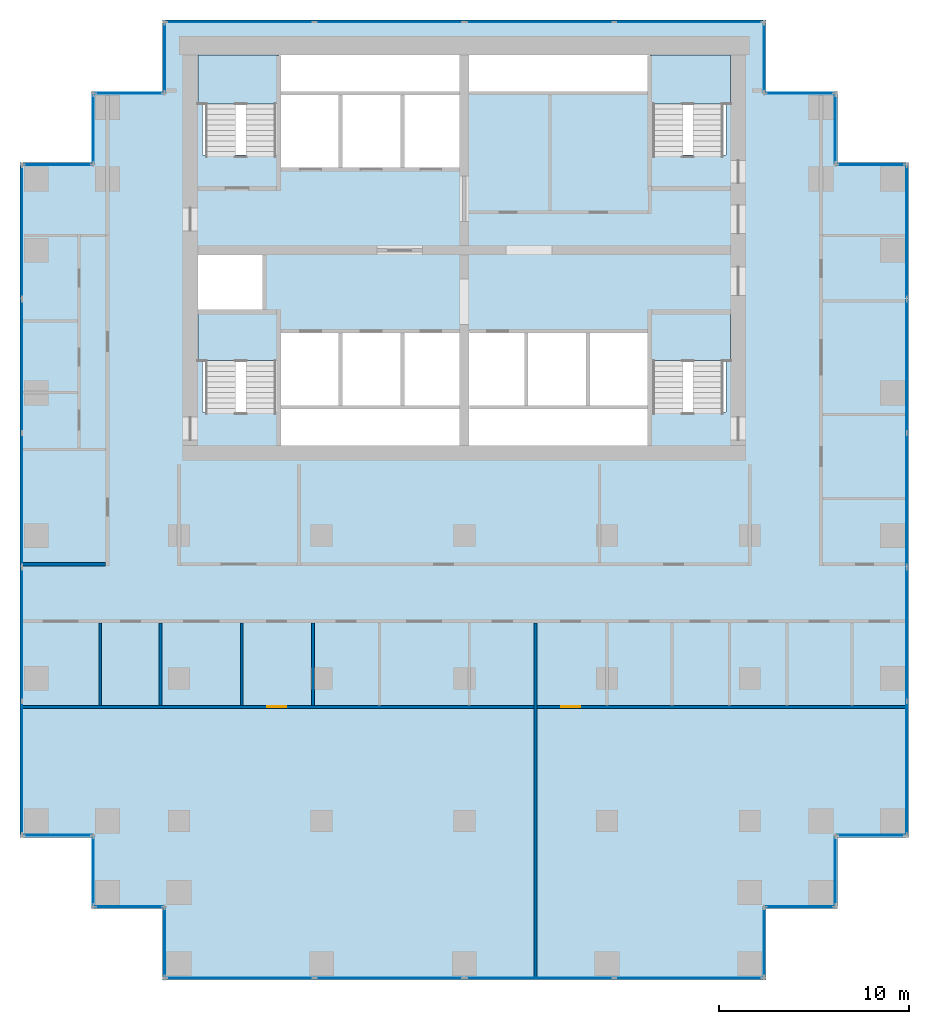
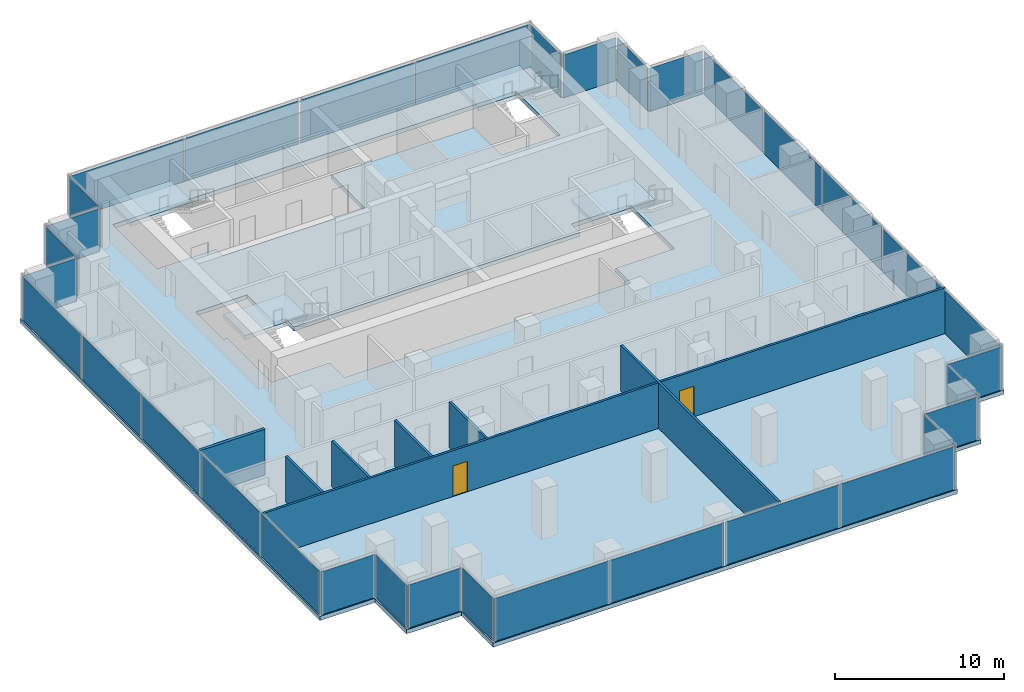
# One storey, part 6 of 10: 34 plates, 7 walls, 5 slabs, 2 doors, 2 openings, 30 elements without a shape of their own.
"""IFC4 building model written with IfcOpenShell, lengths in metres."""

from ifc_helpers import new_model, si_unit, direction, frame, frame_2d, origin, origin_2d, place, context, subcontext, project, spatial, polyline, rectangle, outline, extrude, material, layer, layer_set, type_object, element, fill, aggregate, save


model = new_model("IFC4")

# Units and contexts
model_context = context("Model", 3, precision=1e-05, world=origin(), true_north=direction((0.0, 1.0)))
body_context = subcontext(model_context, "Body", "Model", "MODEL_VIEW")
ifc_project = project(units=[si_unit("LENGTHUNIT", "METRE"), si_unit("AREAUNIT", "SQUARE_METRE"), si_unit("VOLUMEUNIT", "CUBIC_METRE"), si_unit("PLANEANGLEUNIT", "RADIAN"), si_unit("MASSUNIT", "GRAM", prefix="KILO")], contexts=[model_context])

# Site, building, storey
site_placement = place(None, origin())
site = spatial("IfcSite", under=ifc_project, at=site_placement, CompositionType="ELEMENT")
building_placement = place(site_placement, origin())
building = spatial("IfcBuilding", under=site, at=building_placement, Name="Pilkhan Gate Tower", CompositionType="ELEMENT")
storey_placement = place(building_placement, frame((0.0, 0.0, 107.199951171875)))
storey = spatial("IfcBuildingStorey", under=building, at=storey_placement, Name="L26", CompositionType="ELEMENT", Elevation=107.199951171875)

# Slab
ifc_material_1 = material(Name="Concrete C40/50", Category="concrete")
ifc_layer_1 = layer(ifc_material_1, 0.300048828125)
ifc_layer_set_1 = layer_set([ifc_layer_1], Name="Flat plate slab FP300")
slab_type_1 = type_object("IfcSlabType", Name="Flat plate slab FP300", PredefinedType="FLOOR", material=ifc_layer_set_1)
slab_1_placement = place(storey_placement, frame((0.0, 0.0, -0.300048828125)))
element("IfcSlab", 1, at=slab_1_placement, inside=storey, type_object=slab_type_1, Name="Floor slab L26", PredefinedType="FLOOR", context=body_context, shape_type="SweptSolid", body=[
    extrude(outline(polyline([(94.60009765625, 47.89990234375), (90.85009765625, 47.89990234375), (90.85009765625, 44.14990234375), (59.14990234375, 44.14990234375), (59.14990234375, 47.89990234375), (55.39990234375, 47.89990234375), (55.39990234375, 51.64990234375), (51.64990234375, 51.64990234375), (51.64990234375, 87.10009765625), (55.39990234375, 87.10009765625), (55.39990234375, 90.85009765625), (59.14990234375, 90.85009765625), (59.14990234375, 94.60009765625), (90.85009765625, 94.60009765625), (90.85009765625, 90.85009765625), (94.60009765625, 90.85009765625), (94.60009765625, 87.10009765625), (98.35009765625, 87.10009765625), (98.35009765625, 51.64990234375), (94.60009765625, 51.64990234375), (94.60009765625, 47.89990234375)]), holes=[polyline([(65.25, 87.5), (65.25, 86.75), (68.5, 86.75), (71.75, 86.75), (75.0, 86.75), (75.0, 90.75), (84.75, 90.75), (84.75, 87.5), (88.75, 87.5), (88.75, 92.75), (84.75, 92.75), (75.0, 92.75), (65.25, 92.75), (61.25, 92.75), (61.25, 87.5), (65.25, 87.5)]), polyline([(75.0, 72.25), (84.75, 72.25), (84.75, 74.0), (88.75, 74.0), (88.75, 79.25), (84.75, 79.25), (84.75, 78.25), (81.5, 78.25), (78.25, 78.25), (75.0, 78.25), (71.75, 78.25), (68.5, 78.25), (65.25, 78.25), (65.25, 79.25), (64.5, 79.25), (64.5, 82.5), (61.25, 82.5), (61.0, 82.5), (61.0, 79.25), (61.25, 79.25), (61.25, 74.0), (65.25, 74.0), (65.25, 72.25), (75.0, 72.25)])]), origin(), (0.0, 0.0, 1.0), 0.300048828125),
])

# Curtain wall, plates
ifc_material_2 = material(Name="Pale anodised aluminium, clear low-iron double glazing", Category="aluminium")
curtain_wall_type = type_object("IfcCurtainWallType", Name="Office unitised curtain wall CW-O1", PredefinedType="USERDEFINED", material=ifc_material_2)
curtain_wall_1_placement = place(storey_placement, origin())
curtain_wall_1 = element("IfcCurtainWall", 2, at=curtain_wall_1_placement, inside=storey, type_object=curtain_wall_type, Name="Office unitised curtain wall CW-O1 L26 E", ObjectType="UNITISED CURTAIN WALL", PredefinedType="USERDEFINED")
ifc_material_3 = material(Name="Clear low-iron double glazing", Category="glass")
ifc_layer_2 = layer(ifc_material_3, 0.0400390625)
ifc_layer_set_2 = layer_set([ifc_layer_2], Name="Glass panel CW-O1 40")
plate_type = type_object("IfcPlateType", Name="Glass panel CW-O1 40", PredefinedType="CURTAIN_PANEL", material=ifc_layer_set_2)
plate_1_placement = place(storey_placement, frame((98.25, 55.29248046875, 0.0), z_axis=(0.0, 0.0, 1.0), x_axis=(0.0, 1.0, 0.0)))
plate_1 = element("IfcPlate", 3, at=plate_1_placement, type_object=plate_type, Name="CW-O1 panel 1", PredefinedType="CURTAIN_PANEL", context=body_context, shape_type="SweptSolid", body=[
    extrude(rectangle(XDim=6.945068359375, YDim=0.0400390625, at=origin_2d()), origin(), (0.0, 0.0, 1.0), 3.10009765625),
])
plate_2_placement = place(storey_placement, frame((98.25, 62.3076171875, 0.0), z_axis=(0.0, 0.0, 1.0), x_axis=(0.0, 1.0, 0.0)))
plate_2 = element("IfcPlate", 4, at=plate_2_placement, type_object=plate_type, Name="CW-O1 panel 2", PredefinedType="CURTAIN_PANEL", context=body_context, shape_type="SweptSolid", body=[
    extrude(rectangle(XDim=6.945068359375, YDim=0.0400390625, at=origin_2d()), origin(), (0.0, 0.0, 1.0), 3.10009765625),
])
aggregate(curtain_wall_1, [plate_1, plate_2])

curtain_wall_2_placement = place(storey_placement, origin())
curtain_wall_2 = element("IfcCurtainWall", 5, at=curtain_wall_2_placement, inside=storey, type_object=curtain_wall_type, Name="Office unitised curtain wall CW-O1 L26 E", ObjectType="UNITISED CURTAIN WALL", PredefinedType="USERDEFINED")
plate_3_placement = place(storey_placement, frame((98.25, 69.392578125, 0.0), z_axis=(0.0, 0.0, 1.0), x_axis=(0.0, 1.0, 0.0)))
plate_3 = element("IfcPlate", 6, at=plate_3_placement, type_object=plate_type, Name="CW-O1 panel 1", PredefinedType="CURTAIN_PANEL", context=body_context, shape_type="SweptSolid", body=[
    extrude(rectangle(XDim=6.945068359375, YDim=0.0400390625, at=origin_2d()), origin(), (0.0, 0.0, 1.0), 3.10009765625),
])
plate_4_placement = place(storey_placement, frame((98.25, 76.407470703125, 0.0), z_axis=(0.0, 0.0, 1.0), x_axis=(0.0, 1.0, 0.0)))
plate_4 = element("IfcPlate", 7, at=plate_4_placement, type_object=plate_type, Name="CW-O1 panel 2", PredefinedType="CURTAIN_PANEL", context=body_context, shape_type="SweptSolid", body=[
    extrude(rectangle(XDim=6.945068359375, YDim=0.0400390625, at=origin_2d()), origin(), (0.0, 0.0, 1.0), 3.10009765625),
])
aggregate(curtain_wall_2, [plate_3, plate_4])

# Curtain wall, plate
curtain_wall_3_placement = place(storey_placement, origin())
curtain_wall_3 = element("IfcCurtainWall", 8, at=curtain_wall_3_placement, inside=storey, type_object=curtain_wall_type, Name="Office unitised curtain wall CW-O1 L26 E", ObjectType="UNITISED CURTAIN WALL", PredefinedType="USERDEFINED")
plate_5_placement = place(storey_placement, frame((98.25, 83.47509765625, 0.0), z_axis=(0.0, 0.0, 1.0), x_axis=(0.0, 1.0, 0.0)))
plate_5 = element("IfcPlate", 9, at=plate_5_placement, type_object=plate_type, Name="CW-O1 panel 1", PredefinedType="CURTAIN_PANEL", context=body_context, shape_type="SweptSolid", body=[
    extrude(rectangle(XDim=6.909912109375, YDim=0.0400390625, at=origin_2d()), origin(), (0.0, 0.0, 1.0), 3.10009765625),
])
aggregate(curtain_wall_3, [plate_5])

curtain_wall_4_placement = place(storey_placement, origin())
curtain_wall_4 = element("IfcCurtainWall", 10, at=curtain_wall_4_placement, inside=storey, type_object=curtain_wall_type, Name="Office unitised curtain wall CW-O1 L26 N", ObjectType="UNITISED CURTAIN WALL", PredefinedType="USERDEFINED")
plate_6_placement = place(storey_placement, frame((96.375, 87.0, 0.0), z_axis=(0.0, 0.0, 1.0), x_axis=(1.0, 0.0, 0.0)))
plate_6 = element("IfcPlate", 11, at=plate_6_placement, type_object=plate_type, Name="CW-O1 panel 1", PredefinedType="CURTAIN_PANEL", context=body_context, shape_type="SweptSolid", body=[
    extrude(rectangle(XDim=3.610107421875, YDim=0.0400390625, at=origin_2d()), origin(), (0.0, 0.0, 1.0), 3.10009765625),
])
aggregate(curtain_wall_4, [plate_6])

curtain_wall_5_placement = place(storey_placement, origin())
curtain_wall_5 = element("IfcCurtainWall", 12, at=curtain_wall_5_placement, inside=storey, type_object=curtain_wall_type, Name="Office unitised curtain wall CW-O1 L26 E", ObjectType="UNITISED CURTAIN WALL", PredefinedType="USERDEFINED")
plate_7_placement = place(storey_placement, frame((94.5, 88.875, 0.0), z_axis=(0.0, 0.0, 1.0), x_axis=(0.0, 1.0, 0.0)))
plate_7 = element("IfcPlate", 13, at=plate_7_placement, type_object=plate_type, Name="CW-O1 panel 1", PredefinedType="CURTAIN_PANEL", context=body_context, shape_type="SweptSolid", body=[
    extrude(rectangle(XDim=3.610107421875, YDim=0.0400390625, at=origin_2d()), origin(), (0.0, 0.0, 1.0), 3.10009765625),
])
aggregate(curtain_wall_5, [plate_7])

curtain_wall_6_placement = place(storey_placement, origin())
curtain_wall_6 = element("IfcCurtainWall", 14, at=curtain_wall_6_placement, inside=storey, type_object=curtain_wall_type, Name="Office unitised curtain wall CW-O1 L26 N", ObjectType="UNITISED CURTAIN WALL", PredefinedType="USERDEFINED")
plate_8_placement = place(storey_placement, frame((92.625, 90.75, 0.0), z_axis=(0.0, 0.0, 1.0), x_axis=(1.0, 0.0, 0.0)))
plate_8 = element("IfcPlate", 15, at=plate_8_placement, type_object=plate_type, Name="CW-O1 panel 1", PredefinedType="CURTAIN_PANEL", context=body_context, shape_type="SweptSolid", body=[
    extrude(rectangle(XDim=3.610107421875, YDim=0.0400390625, at=origin_2d()), origin(), (0.0, 0.0, 1.0), 3.10009765625),
])
aggregate(curtain_wall_6, [plate_8])

curtain_wall_7_placement = place(storey_placement, origin())
curtain_wall_7 = element("IfcCurtainWall", 16, at=curtain_wall_7_placement, inside=storey, type_object=curtain_wall_type, Name="Office unitised curtain wall CW-O1 L26 E", ObjectType="UNITISED CURTAIN WALL", PredefinedType="USERDEFINED")
plate_9_placement = place(storey_placement, frame((90.75, 92.625, 0.0), z_axis=(0.0, 0.0, 1.0), x_axis=(0.0, 1.0, 0.0)))
plate_9 = element("IfcPlate", 17, at=plate_9_placement, type_object=plate_type, Name="CW-O1 panel 1", PredefinedType="CURTAIN_PANEL", context=body_context, shape_type="SweptSolid", body=[
    extrude(rectangle(XDim=3.610107421875, YDim=0.0400390625, at=origin_2d()), origin(), (0.0, 0.0, 1.0), 3.10009765625),
])
aggregate(curtain_wall_7, [plate_9])

# Curtain wall, plates
curtain_wall_8_placement = place(storey_placement, origin())
curtain_wall_8 = element("IfcCurtainWall", 18, at=curtain_wall_8_placement, inside=storey, type_object=curtain_wall_type, Name="Office unitised curtain wall CW-O1 L26 N", ObjectType="UNITISED CURTAIN WALL", PredefinedType="USERDEFINED")
plate_10_placement = place(storey_placement, frame((63.205078125, 94.5, 0.0), z_axis=(0.0, 0.0, 1.0), x_axis=(1.0, 0.0, 0.0)))
plate_10 = element("IfcPlate", 19, at=plate_10_placement, type_object=plate_type, Name="CW-O1 panel 1", PredefinedType="CURTAIN_PANEL", context=body_context, shape_type="SweptSolid", body=[
    extrude(rectangle(XDim=7.77001953125, YDim=0.0400390625, at=origin_2d()), origin(), (0.0, 0.0, 1.0), 3.10009765625),
])
plate_11_placement = place(storey_placement, frame((71.044921875, 94.5, 0.0), z_axis=(0.0, 0.0, 1.0), x_axis=(1.0, 0.0, 0.0)))
plate_11 = element("IfcPlate", 20, at=plate_11_placement, type_object=plate_type, Name="CW-O1 panel 2", PredefinedType="CURTAIN_PANEL", context=body_context, shape_type="SweptSolid", body=[
    extrude(rectangle(XDim=7.77001953125, YDim=0.0400390625, at=origin_2d()), origin(), (0.0, 0.0, 1.0), 3.10009765625),
])
aggregate(curtain_wall_8, [plate_10, plate_11])

curtain_wall_9_placement = place(storey_placement, origin())
curtain_wall_9 = element("IfcCurtainWall", 21, at=curtain_wall_9_placement, inside=storey, type_object=curtain_wall_type, Name="Office unitised curtain wall CW-O1 L26 N", ObjectType="UNITISED CURTAIN WALL", PredefinedType="USERDEFINED")
plate_12_placement = place(storey_placement, frame((78.955078125, 94.5, 0.0), z_axis=(0.0, 0.0, 1.0), x_axis=(1.0, 0.0, 0.0)))
plate_12 = element("IfcPlate", 22, at=plate_12_placement, type_object=plate_type, Name="CW-O1 panel 1", PredefinedType="CURTAIN_PANEL", context=body_context, shape_type="SweptSolid", body=[
    extrude(rectangle(XDim=7.77001953125, YDim=0.0400390625, at=origin_2d()), origin(), (0.0, 0.0, 1.0), 3.10009765625),
])
plate_13_placement = place(storey_placement, frame((86.794921875, 94.5, 0.0), z_axis=(0.0, 0.0, 1.0), x_axis=(1.0, 0.0, 0.0)))
plate_13 = element("IfcPlate", 23, at=plate_13_placement, type_object=plate_type, Name="CW-O1 panel 2", PredefinedType="CURTAIN_PANEL", context=body_context, shape_type="SweptSolid", body=[
    extrude(rectangle(XDim=7.77001953125, YDim=0.0400390625, at=origin_2d()), origin(), (0.0, 0.0, 1.0), 3.10009765625),
])
aggregate(curtain_wall_9, [plate_12, plate_13])

# Curtain wall, plate
curtain_wall_10_placement = place(storey_placement, origin())
curtain_wall_10 = element("IfcCurtainWall", 24, at=curtain_wall_10_placement, inside=storey, type_object=curtain_wall_type, Name="Office unitised curtain wall CW-O1 L26 W", ObjectType="UNITISED CURTAIN WALL", PredefinedType="USERDEFINED")
plate_14_placement = place(storey_placement, frame((59.25, 92.625, 0.0), z_axis=(0.0, 0.0, 1.0), x_axis=(0.0, 1.0, 0.0)))
plate_14 = element("IfcPlate", 25, at=plate_14_placement, type_object=plate_type, Name="CW-O1 panel 1", PredefinedType="CURTAIN_PANEL", context=body_context, shape_type="SweptSolid", body=[
    extrude(rectangle(XDim=3.610107421875, YDim=0.0400390625, at=origin_2d()), origin(), (0.0, 0.0, 1.0), 3.10009765625),
])
aggregate(curtain_wall_10, [plate_14])

curtain_wall_11_placement = place(storey_placement, origin())
curtain_wall_11 = element("IfcCurtainWall", 26, at=curtain_wall_11_placement, inside=storey, type_object=curtain_wall_type, Name="Office unitised curtain wall CW-O1 L26 N", ObjectType="UNITISED CURTAIN WALL", PredefinedType="USERDEFINED")
plate_15_placement = place(storey_placement, frame((57.375, 90.75, 0.0), z_axis=(0.0, 0.0, 1.0), x_axis=(1.0, 0.0, 0.0)))
plate_15 = element("IfcPlate", 27, at=plate_15_placement, type_object=plate_type, Name="CW-O1 panel 1", PredefinedType="CURTAIN_PANEL", context=body_context, shape_type="SweptSolid", body=[
    extrude(rectangle(XDim=3.610107421875, YDim=0.0400390625, at=origin_2d()), origin(), (0.0, 0.0, 1.0), 3.10009765625),
])
aggregate(curtain_wall_11, [plate_15])

curtain_wall_12_placement = place(storey_placement, origin())
curtain_wall_12 = element("IfcCurtainWall", 28, at=curtain_wall_12_placement, inside=storey, type_object=curtain_wall_type, Name="Office unitised curtain wall CW-O1 L26 W", ObjectType="UNITISED CURTAIN WALL", PredefinedType="USERDEFINED")
plate_16_placement = place(storey_placement, frame((55.5, 88.875, 0.0), z_axis=(0.0, 0.0, 1.0), x_axis=(0.0, 1.0, 0.0)))
plate_16 = element("IfcPlate", 29, at=plate_16_placement, type_object=plate_type, Name="CW-O1 panel 1", PredefinedType="CURTAIN_PANEL", context=body_context, shape_type="SweptSolid", body=[
    extrude(rectangle(XDim=3.610107421875, YDim=0.0400390625, at=origin_2d()), origin(), (0.0, 0.0, 1.0), 3.10009765625),
])
aggregate(curtain_wall_12, [plate_16])

curtain_wall_13_placement = place(storey_placement, origin())
curtain_wall_13 = element("IfcCurtainWall", 30, at=curtain_wall_13_placement, inside=storey, type_object=curtain_wall_type, Name="Office unitised curtain wall CW-O1 L26 N", ObjectType="UNITISED CURTAIN WALL", PredefinedType="USERDEFINED")
plate_17_placement = place(storey_placement, frame((53.625, 87.0, 0.0), z_axis=(0.0, 0.0, 1.0), x_axis=(1.0, 0.0, 0.0)))
plate_17 = element("IfcPlate", 31, at=plate_17_placement, type_object=plate_type, Name="CW-O1 panel 1", PredefinedType="CURTAIN_PANEL", context=body_context, shape_type="SweptSolid", body=[
    extrude(rectangle(XDim=3.610107421875, YDim=0.0400390625, at=origin_2d()), origin(), (0.0, 0.0, 1.0), 3.10009765625),
])
aggregate(curtain_wall_13, [plate_17])

# Curtain wall, plates
curtain_wall_14_placement = place(storey_placement, origin())
curtain_wall_14 = element("IfcCurtainWall", 32, at=curtain_wall_14_placement, inside=storey, type_object=curtain_wall_type, Name="Office unitised curtain wall CW-O1 L26 W", ObjectType="UNITISED CURTAIN WALL", PredefinedType="USERDEFINED")
plate_18_placement = place(storey_placement, frame((51.75, 55.29248046875, 0.0), z_axis=(0.0, 0.0, 1.0), x_axis=(0.0, 1.0, 0.0)))
plate_18 = element("IfcPlate", 33, at=plate_18_placement, type_object=plate_type, Name="CW-O1 panel 1", PredefinedType="CURTAIN_PANEL", context=body_context, shape_type="SweptSolid", body=[
    extrude(rectangle(XDim=6.945068359375, YDim=0.0400390625, at=origin_2d()), origin(), (0.0, 0.0, 1.0), 3.10009765625),
])
plate_19_placement = place(storey_placement, frame((51.75, 62.3076171875, 0.0), z_axis=(0.0, 0.0, 1.0), x_axis=(0.0, 1.0, 0.0)))
plate_19 = element("IfcPlate", 34, at=plate_19_placement, type_object=plate_type, Name="CW-O1 panel 2", PredefinedType="CURTAIN_PANEL", context=body_context, shape_type="SweptSolid", body=[
    extrude(rectangle(XDim=6.945068359375, YDim=0.0400390625, at=origin_2d()), origin(), (0.0, 0.0, 1.0), 3.10009765625),
])
aggregate(curtain_wall_14, [plate_18, plate_19])

curtain_wall_15_placement = place(storey_placement, origin())
curtain_wall_15 = element("IfcCurtainWall", 35, at=curtain_wall_15_placement, inside=storey, type_object=curtain_wall_type, Name="Office unitised curtain wall CW-O1 L26 W", ObjectType="UNITISED CURTAIN WALL", PredefinedType="USERDEFINED")
plate_20_placement = place(storey_placement, frame((51.75, 69.392578125, 0.0), z_axis=(0.0, 0.0, 1.0), x_axis=(0.0, 1.0, 0.0)))
plate_20 = element("IfcPlate", 36, at=plate_20_placement, type_object=plate_type, Name="CW-O1 panel 1", PredefinedType="CURTAIN_PANEL", context=body_context, shape_type="SweptSolid", body=[
    extrude(rectangle(XDim=6.945068359375, YDim=0.0400390625, at=origin_2d()), origin(), (0.0, 0.0, 1.0), 3.10009765625),
])
plate_21_placement = place(storey_placement, frame((51.75, 76.407470703125, 0.0), z_axis=(0.0, 0.0, 1.0), x_axis=(0.0, 1.0, 0.0)))
plate_21 = element("IfcPlate", 37, at=plate_21_placement, type_object=plate_type, Name="CW-O1 panel 2", PredefinedType="CURTAIN_PANEL", context=body_context, shape_type="SweptSolid", body=[
    extrude(rectangle(XDim=6.945068359375, YDim=0.0400390625, at=origin_2d()), origin(), (0.0, 0.0, 1.0), 3.10009765625),
])
aggregate(curtain_wall_15, [plate_20, plate_21])

# Curtain wall, plate
curtain_wall_16_placement = place(storey_placement, origin())
curtain_wall_16 = element("IfcCurtainWall", 38, at=curtain_wall_16_placement, inside=storey, type_object=curtain_wall_type, Name="Office unitised curtain wall CW-O1 L26 W", ObjectType="UNITISED CURTAIN WALL", PredefinedType="USERDEFINED")
plate_22_placement = place(storey_placement, frame((51.75, 83.47509765625, 0.0), z_axis=(0.0, 0.0, 1.0), x_axis=(0.0, 1.0, 0.0)))
plate_22 = element("IfcPlate", 39, at=plate_22_placement, type_object=plate_type, Name="CW-O1 panel 1", PredefinedType="CURTAIN_PANEL", context=body_context, shape_type="SweptSolid", body=[
    extrude(rectangle(XDim=6.909912109375, YDim=0.0400390625, at=origin_2d()), origin(), (0.0, 0.0, 1.0), 3.10009765625),
])
aggregate(curtain_wall_16, [plate_22])

curtain_wall_17_placement = place(storey_placement, origin())
curtain_wall_17 = element("IfcCurtainWall", 40, at=curtain_wall_17_placement, inside=storey, type_object=curtain_wall_type, Name="Office unitised curtain wall CW-O1 L26 S", ObjectType="UNITISED CURTAIN WALL", PredefinedType="USERDEFINED")
plate_23_placement = place(storey_placement, frame((53.625, 51.75, 0.0), z_axis=(0.0, 0.0, 1.0), x_axis=(1.0, 0.0, 0.0)))
plate_23 = element("IfcPlate", 41, at=plate_23_placement, type_object=plate_type, Name="CW-O1 panel 1", PredefinedType="CURTAIN_PANEL", context=body_context, shape_type="SweptSolid", body=[
    extrude(rectangle(XDim=3.610107421875, YDim=0.0400390625, at=origin_2d()), origin(), (0.0, 0.0, 1.0), 3.10009765625),
])
aggregate(curtain_wall_17, [plate_23])

curtain_wall_18_placement = place(storey_placement, origin())
curtain_wall_18 = element("IfcCurtainWall", 42, at=curtain_wall_18_placement, inside=storey, type_object=curtain_wall_type, Name="Office unitised curtain wall CW-O1 L26 W", ObjectType="UNITISED CURTAIN WALL", PredefinedType="USERDEFINED")
plate_24_placement = place(storey_placement, frame((55.5, 49.875, 0.0), z_axis=(0.0, 0.0, 1.0), x_axis=(0.0, 1.0, 0.0)))
plate_24 = element("IfcPlate", 43, at=plate_24_placement, type_object=plate_type, Name="CW-O1 panel 1", PredefinedType="CURTAIN_PANEL", context=body_context, shape_type="SweptSolid", body=[
    extrude(rectangle(XDim=3.610107421875, YDim=0.0400390625, at=origin_2d()), origin(), (0.0, 0.0, 1.0), 3.10009765625),
])
aggregate(curtain_wall_18, [plate_24])

curtain_wall_19_placement = place(storey_placement, origin())
curtain_wall_19 = element("IfcCurtainWall", 44, at=curtain_wall_19_placement, inside=storey, type_object=curtain_wall_type, Name="Office unitised curtain wall CW-O1 L26 S", ObjectType="UNITISED CURTAIN WALL", PredefinedType="USERDEFINED")
plate_25_placement = place(storey_placement, frame((57.375, 48.0, 0.0), z_axis=(0.0, 0.0, 1.0), x_axis=(1.0, 0.0, 0.0)))
plate_25 = element("IfcPlate", 45, at=plate_25_placement, type_object=plate_type, Name="CW-O1 panel 1", PredefinedType="CURTAIN_PANEL", context=body_context, shape_type="SweptSolid", body=[
    extrude(rectangle(XDim=3.610107421875, YDim=0.0400390625, at=origin_2d()), origin(), (0.0, 0.0, 1.0), 3.10009765625),
])
aggregate(curtain_wall_19, [plate_25])

curtain_wall_20_placement = place(storey_placement, origin())
curtain_wall_20 = element("IfcCurtainWall", 46, at=curtain_wall_20_placement, inside=storey, type_object=curtain_wall_type, Name="Office unitised curtain wall CW-O1 L26 W", ObjectType="UNITISED CURTAIN WALL", PredefinedType="USERDEFINED")
plate_26_placement = place(storey_placement, frame((59.25, 46.125, 0.0), z_axis=(0.0, 0.0, 1.0), x_axis=(0.0, 1.0, 0.0)))
plate_26 = element("IfcPlate", 47, at=plate_26_placement, type_object=plate_type, Name="CW-O1 panel 1", PredefinedType="CURTAIN_PANEL", context=body_context, shape_type="SweptSolid", body=[
    extrude(rectangle(XDim=3.610107421875, YDim=0.0400390625, at=origin_2d()), origin(), (0.0, 0.0, 1.0), 3.10009765625),
])
aggregate(curtain_wall_20, [plate_26])

# Curtain wall, plates
curtain_wall_21_placement = place(storey_placement, origin())
curtain_wall_21 = element("IfcCurtainWall", 48, at=curtain_wall_21_placement, inside=storey, type_object=curtain_wall_type, Name="Office unitised curtain wall CW-O1 L26 S", ObjectType="UNITISED CURTAIN WALL", PredefinedType="USERDEFINED")
plate_27_placement = place(storey_placement, frame((63.205078125, 44.25, 0.0), z_axis=(0.0, 0.0, 1.0), x_axis=(1.0, 0.0, 0.0)))
plate_27 = element("IfcPlate", 49, at=plate_27_placement, type_object=plate_type, Name="CW-O1 panel 1", PredefinedType="CURTAIN_PANEL", context=body_context, shape_type="SweptSolid", body=[
    extrude(rectangle(XDim=7.77001953125, YDim=0.0400390625, at=origin_2d()), origin(), (0.0, 0.0, 1.0), 3.10009765625),
])
plate_28_placement = place(storey_placement, frame((71.044921875, 44.25, 0.0), z_axis=(0.0, 0.0, 1.0), x_axis=(1.0, 0.0, 0.0)))
plate_28 = element("IfcPlate", 50, at=plate_28_placement, type_object=plate_type, Name="CW-O1 panel 2", PredefinedType="CURTAIN_PANEL", context=body_context, shape_type="SweptSolid", body=[
    extrude(rectangle(XDim=7.77001953125, YDim=0.0400390625, at=origin_2d()), origin(), (0.0, 0.0, 1.0), 3.10009765625),
])
aggregate(curtain_wall_21, [plate_27, plate_28])

curtain_wall_22_placement = place(storey_placement, origin())
curtain_wall_22 = element("IfcCurtainWall", 51, at=curtain_wall_22_placement, inside=storey, type_object=curtain_wall_type, Name="Office unitised curtain wall CW-O1 L26 S", ObjectType="UNITISED CURTAIN WALL", PredefinedType="USERDEFINED")
plate_29_placement = place(storey_placement, frame((78.955078125, 44.25, 0.0), z_axis=(0.0, 0.0, 1.0), x_axis=(1.0, 0.0, 0.0)))
plate_29 = element("IfcPlate", 52, at=plate_29_placement, type_object=plate_type, Name="CW-O1 panel 1", PredefinedType="CURTAIN_PANEL", context=body_context, shape_type="SweptSolid", body=[
    extrude(rectangle(XDim=7.77001953125, YDim=0.0400390625, at=origin_2d()), origin(), (0.0, 0.0, 1.0), 3.10009765625),
])
plate_30_placement = place(storey_placement, frame((86.794921875, 44.25, 0.0), z_axis=(0.0, 0.0, 1.0), x_axis=(1.0, 0.0, 0.0)))
plate_30 = element("IfcPlate", 53, at=plate_30_placement, type_object=plate_type, Name="CW-O1 panel 2", PredefinedType="CURTAIN_PANEL", context=body_context, shape_type="SweptSolid", body=[
    extrude(rectangle(XDim=7.77001953125, YDim=0.0400390625, at=origin_2d()), origin(), (0.0, 0.0, 1.0), 3.10009765625),
])
aggregate(curtain_wall_22, [plate_29, plate_30])

# Curtain wall, plate
curtain_wall_23_placement = place(storey_placement, origin())
curtain_wall_23 = element("IfcCurtainWall", 54, at=curtain_wall_23_placement, inside=storey, type_object=curtain_wall_type, Name="Office unitised curtain wall CW-O1 L26 E", ObjectType="UNITISED CURTAIN WALL", PredefinedType="USERDEFINED")
plate_31_placement = place(storey_placement, frame((90.75, 46.125, 0.0), z_axis=(0.0, 0.0, 1.0), x_axis=(0.0, 1.0, 0.0)))
plate_31 = element("IfcPlate", 55, at=plate_31_placement, type_object=plate_type, Name="CW-O1 panel 1", PredefinedType="CURTAIN_PANEL", context=body_context, shape_type="SweptSolid", body=[
    extrude(rectangle(XDim=3.610107421875, YDim=0.0400390625, at=origin_2d()), origin(), (0.0, 0.0, 1.0), 3.10009765625),
])
aggregate(curtain_wall_23, [plate_31])

curtain_wall_24_placement = place(storey_placement, origin())
curtain_wall_24 = element("IfcCurtainWall", 56, at=curtain_wall_24_placement, inside=storey, type_object=curtain_wall_type, Name="Office unitised curtain wall CW-O1 L26 S", ObjectType="UNITISED CURTAIN WALL", PredefinedType="USERDEFINED")
plate_32_placement = place(storey_placement, frame((92.625, 48.0, 0.0), z_axis=(0.0, 0.0, 1.0), x_axis=(1.0, 0.0, 0.0)))
plate_32 = element("IfcPlate", 57, at=plate_32_placement, type_object=plate_type, Name="CW-O1 panel 1", PredefinedType="CURTAIN_PANEL", context=body_context, shape_type="SweptSolid", body=[
    extrude(rectangle(XDim=3.610107421875, YDim=0.0400390625, at=origin_2d()), origin(), (0.0, 0.0, 1.0), 3.10009765625),
])
aggregate(curtain_wall_24, [plate_32])

curtain_wall_25_placement = place(storey_placement, origin())
curtain_wall_25 = element("IfcCurtainWall", 58, at=curtain_wall_25_placement, inside=storey, type_object=curtain_wall_type, Name="Office unitised curtain wall CW-O1 L26 E", ObjectType="UNITISED CURTAIN WALL", PredefinedType="USERDEFINED")
plate_33_placement = place(storey_placement, frame((94.5, 49.875, 0.0), z_axis=(0.0, 0.0, 1.0), x_axis=(0.0, 1.0, 0.0)))
plate_33 = element("IfcPlate", 59, at=plate_33_placement, type_object=plate_type, Name="CW-O1 panel 1", PredefinedType="CURTAIN_PANEL", context=body_context, shape_type="SweptSolid", body=[
    extrude(rectangle(XDim=3.610107421875, YDim=0.0400390625, at=origin_2d()), origin(), (0.0, 0.0, 1.0), 3.10009765625),
])
aggregate(curtain_wall_25, [plate_33])

curtain_wall_26_placement = place(storey_placement, origin())
curtain_wall_26 = element("IfcCurtainWall", 60, at=curtain_wall_26_placement, inside=storey, type_object=curtain_wall_type, Name="Office unitised curtain wall CW-O1 L26 S", ObjectType="UNITISED CURTAIN WALL", PredefinedType="USERDEFINED")
plate_34_placement = place(storey_placement, frame((96.375, 51.75, 0.0), z_axis=(0.0, 0.0, 1.0), x_axis=(1.0, 0.0, 0.0)))
plate_34 = element("IfcPlate", 61, at=plate_34_placement, type_object=plate_type, Name="CW-O1 panel 1", PredefinedType="CURTAIN_PANEL", context=body_context, shape_type="SweptSolid", body=[
    extrude(rectangle(XDim=3.610107421875, YDim=0.0400390625, at=origin_2d()), origin(), (0.0, 0.0, 1.0), 3.10009765625),
])
aggregate(curtain_wall_26, [plate_34])

# Stair, slab
ifc_material_4 = material(Name="Concrete C40/50 precast", Category="concrete")
stair_type_1 = type_object("IfcStairType", Name="Stair ST1 164x280", PredefinedType="HALF_TURN_STAIR", material=ifc_material_4)
stair_1_placement = place(storey_placement, origin())
stair_1 = element("IfcStair", 62, at=stair_1_placement, inside=storey, type_object=stair_type_1, Name="Stair ST1 L26", PredefinedType="HALF_TURN_STAIR")
ifc_layer_3 = layer(ifc_material_1, 0.199951171875)
ifc_layer_set_3 = layer_set([ifc_layer_3], Name="Stair landing SL200")
slab_type_2 = type_object("IfcSlabType", Name="Stair landing SL200", PredefinedType="LANDING", material=ifc_layer_set_3)
slab_2_placement = place(storey_placement, frame((0.0, 0.0, 1.5)))
slab_2 = element("IfcSlab", 63, at=slab_2_placement, type_object=slab_type_2, Name="ST1 landing 1", PredefinedType="LANDING", context=body_context, shape_type="SweptSolid", body=[
    extrude(outline(polyline([(89.0, 76.699951171875), (89.0, 79.25), (84.75, 79.25), (84.75, 76.699951171875), (89.0, 76.699951171875)])), origin(), (0.0, 0.0, 1.0), 0.300048828125),
])
aggregate(stair_1, [slab_2])

stair_type_2 = type_object("IfcStairType", Name="Stair ST2 164x280", PredefinedType="HALF_TURN_STAIR", material=ifc_material_4)
stair_2_placement = place(storey_placement, origin())
stair_2 = element("IfcStair", 64, at=stair_2_placement, inside=storey, type_object=stair_type_2, Name="Stair ST2 L26", PredefinedType="HALF_TURN_STAIR")
slab_3_placement = place(storey_placement, frame((0.0, 0.0, 1.5)))
slab_3 = element("IfcSlab", 65, at=slab_3_placement, type_object=slab_type_2, Name="ST2 landing 1", PredefinedType="LANDING", context=body_context, shape_type="SweptSolid", body=[
    extrude(outline(polyline([(65.25, 76.699951171875), (65.25, 79.25), (61.0, 79.25), (61.0, 76.699951171875), (65.25, 76.699951171875)])), origin(), (0.0, 0.0, 1.0), 0.300048828125),
])
aggregate(stair_2, [slab_3])

stair_type_3 = type_object("IfcStairType", Name="Stair ST3 164x280", PredefinedType="HALF_TURN_STAIR", material=ifc_material_4)
stair_3_placement = place(storey_placement, origin())
stair_3 = element("IfcStair", 66, at=stair_3_placement, inside=storey, type_object=stair_type_3, Name="Stair ST3 L26", PredefinedType="HALF_TURN_STAIR")
slab_4_placement = place(storey_placement, frame((0.0, 0.0, 1.5)))
slab_4 = element("IfcSlab", 67, at=slab_4_placement, type_object=slab_type_2, Name="ST3 landing 1", PredefinedType="LANDING", context=body_context, shape_type="SweptSolid", body=[
    extrude(outline(polyline([(65.25, 90.199951171875), (65.25, 92.75), (61.0, 92.75), (61.0, 90.199951171875), (65.25, 90.199951171875)])), origin(), (0.0, 0.0, 1.0), 0.300048828125),
])
aggregate(stair_3, [slab_4])

stair_type_4 = type_object("IfcStairType", Name="Stair ST4 164x280", PredefinedType="HALF_TURN_STAIR", material=ifc_material_4)
stair_4_placement = place(storey_placement, origin())
stair_4 = element("IfcStair", 68, at=stair_4_placement, inside=storey, type_object=stair_type_4, Name="Stair ST4 L26", PredefinedType="HALF_TURN_STAIR")
slab_5_placement = place(storey_placement, frame((0.0, 0.0, 1.5)))
slab_5 = element("IfcSlab", 69, at=slab_5_placement, type_object=slab_type_2, Name="ST4 landing 1", PredefinedType="LANDING", context=body_context, shape_type="SweptSolid", body=[
    extrude(outline(polyline([(89.0, 90.199951171875), (89.0, 92.75), (84.75, 92.75), (84.75, 90.199951171875), (89.0, 90.199951171875)])), origin(), (0.0, 0.0, 1.0), 0.300048828125),
])
aggregate(stair_4, [slab_5])

# Wall
ifc_material_5 = material(Name="Dense blockwork", Category="masonry")
ifc_layer_4 = layer(ifc_material_5, 0.199951171875)
ifc_layer_set_4 = layer_set([ifc_layer_4], Name="Corridor wall FW200")
wall_type_1 = type_object("IfcWallType", Name="Corridor wall FW200", PredefinedType="PARTITIONING", material=ifc_layer_set_4)
wall_1_placement = place(storey_placement, frame((51.735107421875, 66.0, 0.0), z_axis=(0.0, 0.0, 1.0), x_axis=(1.0, 0.0, 0.0)))
element("IfcWall", 70, at=wall_1_placement, inside=storey, type_object=wall_type_1, Name="Partition L26", PredefinedType="PARTITIONING", context=body_context, shape_type="SweptSolid", body=[
    extrude(rectangle(XDim=4.414794921875, YDim=0.199951171875, at=frame_2d((2.20751953125, 0.0))), origin(), (0.0, 0.0, 1.0), 3.300048828125),
])

# Wall, openings, doors
ifc_material_6 = material(Name="Blockwork partition, plastered both sides", Category="masonry")
ifc_layer_5 = layer(ifc_material_6, 0.14990234375)
ifc_layer_set_5 = layer_set([ifc_layer_5], Name="Partition PW150")
wall_type_2 = type_object("IfcWallType", Name="Partition PW150", PredefinedType="PARTITIONING", material=ifc_layer_set_5)
wall_2_placement = place(storey_placement, frame((51.735107421875, 58.5, 0.0), z_axis=(0.0, 0.0, 1.0), x_axis=(1.0, 0.0, 0.0)))
wall_2 = element("IfcWall", 71, at=wall_2_placement, inside=storey, type_object=wall_type_2, Name="Partition L26", PredefinedType="PARTITIONING", context=body_context, shape_type="SweptSolid", body=[
    extrude(rectangle(XDim=46.52978515625, YDim=0.14990234375, at=frame_2d((23.264892578125, 0.0))), origin(), (0.0, 0.0, 1.0), 3.300048828125),
])
opening_1_placement = place(wall_2_placement, frame((12.9150390625, 0.0, 0.0)))
opening_1 = element("IfcOpeningElement", 72, at=opening_1_placement, cuts=wall_2, Name="Opening L26-22", PredefinedType="OPENING", context=body_context, shape_type="SweptSolid", body=[
    extrude(rectangle(XDim=1.0, YDim=2.199951171875, at=frame_2d((0.5, 1.10009765625))), frame((0.0, 0.0849609375, 0.0), z_axis=(0.0, -1.0, 0.0), x_axis=(1.0, 0.0, 0.0)), (0.0, 0.0, 1.0), 0.169921875),
])
opening_2_placement = place(wall_2_placement, frame((28.364990234375, 0.0, 0.0)))
opening_2 = element("IfcOpeningElement", 73, at=opening_2_placement, cuts=wall_2, Name="Opening L26-26", PredefinedType="OPENING", context=body_context, shape_type="SweptSolid", body=[
    extrude(rectangle(XDim=1.0, YDim=2.199951171875, at=frame_2d((0.5, 1.10009765625))), frame((0.0, 0.0849609375, 0.0), z_axis=(0.0, -1.0, 0.0), x_axis=(1.0, 0.0, 0.0)), (0.0, 0.0, 1.0), 0.169921875),
])
ifc_material_7 = material(Name="Timber flush door, 30 minute fire resisting", Category="wood")
door_type = type_object("IfcDoorType", Name="Room door D03 1000x2200", OperationType="SINGLE_SWING_LEFT", PredefinedType="DOOR", material=ifc_material_7)
door_1_placement = place(opening_1_placement, origin())
door_1 = element("IfcDoor", 74, at=door_1_placement, inside=storey, type_object=door_type, Name="Room door", OperationType="SINGLE_SWING_LEFT", OverallHeight=2.199951171875, OverallWidth=1.0, PredefinedType="DOOR", context=body_context, shape_type="SweptSolid", body=[
    extrude(rectangle(XDim=1.0, YDim=2.199951171875, at=frame_2d((0.5, 1.10009765625))), frame((0.0, 0.02490234375, 0.0), z_axis=(0.0, -1.0, 0.0), x_axis=(1.0, 0.0, 0.0)), (0.0, 0.0, 1.0), 0.050048828125),
])
fill(opening_1, door_1)
door_2_placement = place(opening_2_placement, origin())
door_2 = element("IfcDoor", 75, at=door_2_placement, inside=storey, type_object=door_type, Name="Room door", OperationType="SINGLE_SWING_LEFT", OverallHeight=2.199951171875, OverallWidth=1.0, PredefinedType="DOOR", context=body_context, shape_type="SweptSolid", body=[
    extrude(rectangle(XDim=1.0, YDim=2.199951171875, at=frame_2d((0.5, 1.10009765625))), frame((0.0, 0.02490234375, 0.0), z_axis=(0.0, -1.0, 0.0), x_axis=(1.0, 0.0, 0.0)), (0.0, 0.0, 1.0), 0.050048828125),
])
fill(opening_2, door_2)

# Walls
for number, where, z_axis, x_axis, name in (
    (76, (55.868896484375, 58.574951171875, 0.0), (0.0, 0.0, 1.0), (0.0, 1.0, 0.0), "Partition L26"),
    (77, (59.031005859375, 58.574951171875, 0.0), (0.0, 0.0, 1.0), (0.0, 1.0, 0.0), "Partition L26"),
    (78, (63.300048828125, 58.574951171875, 0.0), (0.0, 0.0, 1.0), (0.0, 1.0, 0.0), "Partition L26"),
    (79, (67.050048828125, 58.574951171875, 0.0), (0.0, 0.0, 1.0), (0.0, 1.0, 0.0), "Partition L26"),
):
    element("IfcWall", number, at=place(storey_placement, frame(where, z_axis=z_axis, x_axis=x_axis)), inside=storey, type_object=wall_type_2, Name=name, PredefinedType="PARTITIONING", context=body_context, shape_type="SweptSolid", body=[
        extrude(rectangle(XDim=4.324951171875, YDim=0.14990234375, at=frame_2d((2.16259765625, 0.0))), origin(), (0.0, 0.0, 1.0), 3.300048828125),
    ])
wall_3_placement = place(storey_placement, frame((78.75, 44.235107421875, 0.0), z_axis=(0.0, 0.0, 1.0), x_axis=(0.0, 1.0, 0.0)))
element("IfcWall", 80, at=wall_3_placement, inside=storey, type_object=wall_type_2, Name="Partition L26", PredefinedType="PARTITIONING", context=body_context, shape_type="SweptSolid", body=[
    extrude(rectangle(XDim=18.664794921875, YDim=0.14990234375, at=frame_2d((9.33251953125, 0.0))), origin(), (0.0, 0.0, 1.0), 3.300048828125),
])

save(model, "model.ifc")
